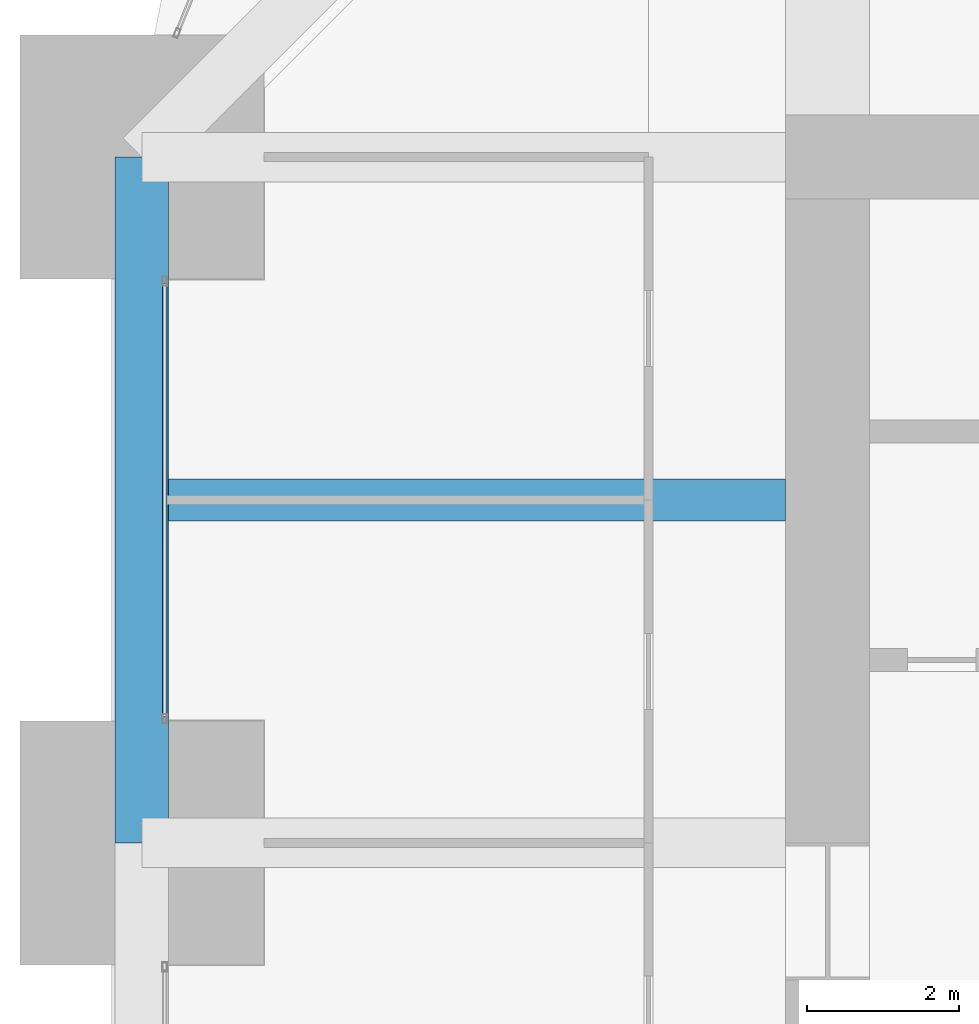
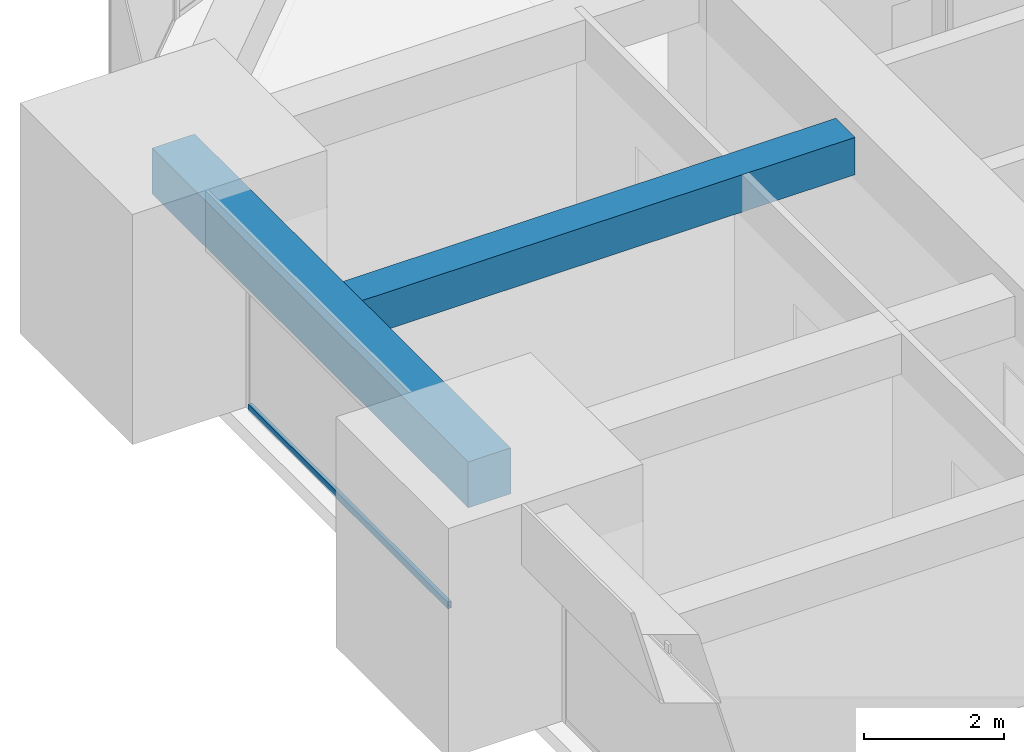
# One storey, part 16 of 43: 2 beams, 1 member, 1 element without a shape of its own.
"""IFC4 building model written with IfcOpenShell, lengths in metres."""

from ifc_helpers import new_model, si_unit, direction, frame, origin, origin_2d, place, context, subcontext, project, spatial, rectangle, hollow_rectangle, extrude, material, material_profile, profile_set, type_object, element, aggregate, save


model = new_model("IFC4")

# Units and contexts
model_context = context("Model", 3, precision=1e-05, world=origin(), true_north=direction((0.0, 1.0)))
body_context = subcontext(model_context, "Body", "Model", "MODEL_VIEW")
ifc_project = project(units=[si_unit("LENGTHUNIT", "METRE"), si_unit("AREAUNIT", "SQUARE_METRE"), si_unit("VOLUMEUNIT", "CUBIC_METRE"), si_unit("PLANEANGLEUNIT", "RADIAN"), si_unit("MASSUNIT", "GRAM", prefix="KILO")], contexts=[model_context])

# Site, building, storey
site_placement = place(None, origin())
site = spatial("IfcSite", under=ifc_project, at=site_placement, CompositionType="ELEMENT")
building_placement = place(site_placement, origin())
building = spatial("IfcBuilding", under=site, at=building_placement, Name="Zorevar Civic Tower", CompositionType="ELEMENT")
storey_placement = place(building_placement, frame((0.0, 0.0, 243.39990234375)))
storey = spatial("IfcBuildingStorey", under=building, at=storey_placement, Name="L59", CompositionType="ELEMENT", Elevation=243.39990234375)

# Beam
ifc_material_1 = material(Name="Concrete C50/60", Category="concrete")
ifc_material_profile_1 = material_profile(ifc_material_1, rectangle(XDim=0.550048828125, YDim=0.64990234375, at=origin_2d()), Name="RC 550x650")
ifc_profile_set_1 = profile_set([ifc_material_profile_1], Name="Concrete C50/60")
beam_type_1 = type_object("IfcBeamType", Name="Beam RC 550x650", PredefinedType="BEAM", material=ifc_profile_set_1)
beam_1_placement = place(storey_placement, frame((9.35009765625, 31.5, 3.425048828125), z_axis=(1.0, 0.0, 0.0), x_axis=(0.0, 1.0, 0.0)))
element("IfcBeam", 1, at=beam_1_placement, inside=storey, type_object=beam_type_1, Name="Secondary beam L60", PredefinedType="BEAM", context=body_context, shape_type="SweptSolid", body=[
    extrude(rectangle(XDim=0.550048828125, YDim=0.64990234375, at=origin_2d()), origin(), (0.0, 0.0, 1.0), 8.099853515625),
])

# Curtain wall, member
ifc_material_2 = material(Name="Dark grey solar-control glass in black aluminium frame", Category="aluminium")
curtain_wall_type = type_object("IfcCurtainWallType", Name="Curtain wall CW5 top zone", PredefinedType="NOTDEFINED", material=ifc_material_2)
curtain_wall_placement = place(storey_placement, origin())
curtain_wall = element("IfcCurtainWall", 2, at=curtain_wall_placement, inside=storey, type_object=curtain_wall_type, Name="CW5 L59", PredefinedType="NOTDEFINED")
ifc_material_3 = material(Name="Aluminium, black anodised", Category="aluminium")
ifc_material_profile_2 = material_profile(ifc_material_3, hollow_rectangle(XDim=0.06005859375, YDim=0.1201171875, WallThickness=0.0029296875, at=origin_2d()), Name="AL 120x60x3")
ifc_profile_set_2 = profile_set([ifc_material_profile_2], Name="Aluminium, black anodised")
member_type = type_object("IfcMemberType", Name="CW5 transom AL 120x60x3", PredefinedType="USERDEFINED", material=ifc_profile_set_2)
member_placement = place(storey_placement, frame((9.300048828125, 28.659912109375, 0.030029296875), z_axis=(0.0, 1.0, 0.0), x_axis=(-1.0, 0.0, 0.0)))
member = element("IfcMember", 3, at=member_placement, type_object=member_type, Name="CW5 sill transom", ObjectType="TRANSOM", PredefinedType="USERDEFINED", context=body_context, shape_type="SweptSolid", body=[
    extrude(hollow_rectangle(XDim=0.06005859375, YDim=0.1201171875, WallThickness=0.0029296875, at=origin_2d()), origin(), (0.0, 0.0, 1.0), 5.68017578125),
])
aggregate(curtain_wall, [member])

# Beam
ifc_material_4 = material(Name="Concrete C50/60", Category="concrete")
ifc_material_profile_3 = material_profile(ifc_material_4, rectangle(XDim=0.699951171875, YDim=0.800048828125, at=origin_2d()), Name="RC 700x800")
ifc_profile_set_3 = profile_set([ifc_material_profile_3], Name="Concrete C50/60")
beam_type_2 = type_object("IfcBeamType", Name="Edge beam RC 700x800", PredefinedType="SPANDREL", material=ifc_profile_set_3)
beam_2_placement = place(storey_placement, frame((9.0, 27.0, 3.35009765625), z_axis=(0.0, 1.0, 0.0), x_axis=(-1.0, 0.0, 0.0)))
element("IfcBeam", 4, at=beam_2_placement, inside=storey, type_object=beam_type_2, Name="Edge beam L60", PredefinedType="SPANDREL", context=body_context, shape_type="SweptSolid", body=[
    extrude(rectangle(XDim=0.699951171875, YDim=0.800048828125, at=origin_2d()), origin(), (0.0, 0.0, 1.0), 9.0),
])

save(model, "model.ifc")
